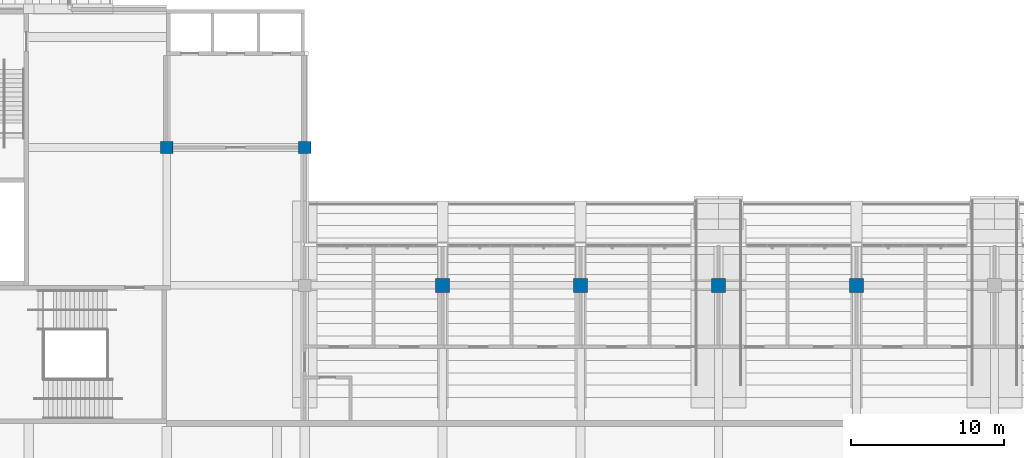
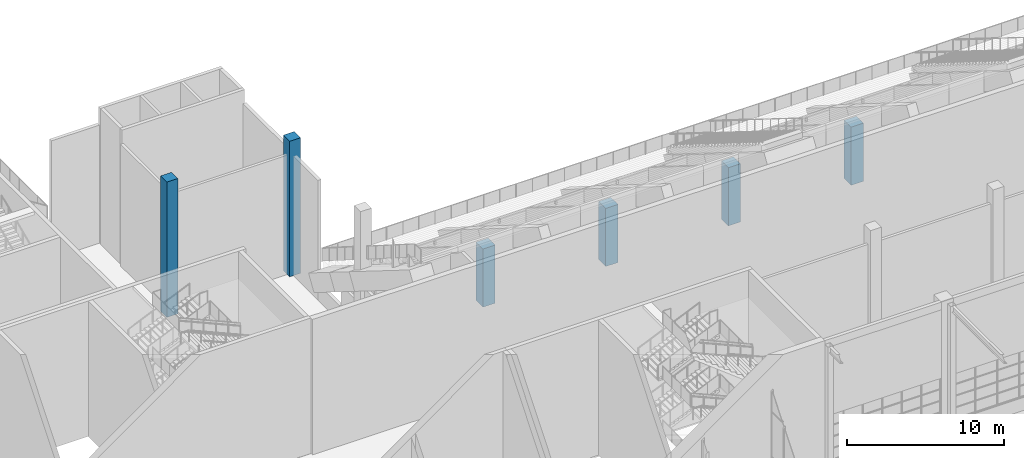
# One storey, part 4 of 182: 6 columns.
"""IFC4 building model written with IfcOpenShell, lengths in metres."""

from ifc_helpers import new_model, si_unit, direction, frame, origin, origin_2d, place, context, subcontext, project, spatial, rectangle, extrude, material, material_profile, profile_set, type_object, element, save


model = new_model("IFC4")

# Units and contexts
model_context = context("Model", 3, precision=1e-05, world=origin(), true_north=direction((0.0, 1.0)))
body_context = subcontext(model_context, "Body", "Model", "MODEL_VIEW")
ifc_project = project(units=[si_unit("LENGTHUNIT", "METRE"), si_unit("AREAUNIT", "SQUARE_METRE"), si_unit("VOLUMEUNIT", "CUBIC_METRE"), si_unit("PLANEANGLEUNIT", "RADIAN"), si_unit("MASSUNIT", "GRAM", prefix="KILO")], contexts=[model_context])

# Site, building, storey
site_placement = place(None, origin())
site = spatial("IfcSite", under=ifc_project, at=site_placement, CompositionType="ELEMENT")
building_placement = place(site_placement, origin())
building = spatial("IfcBuilding", under=site, at=building_placement, Name="Silverbay Arena", CompositionType="ELEMENT")
storey_placement = place(building_placement, frame((0.0, 0.0, 11.5)))
storey = spatial("IfcBuildingStorey", under=building, at=storey_placement, Name="L02", CompositionType="ELEMENT", Elevation=11.5)

# Columns
ifc_material_1 = material(Name="Concrete Grade C45", Category="concrete")
ifc_material_profile_1 = material_profile(ifc_material_1, rectangle(XDim=0.800048828125, YDim=0.800048828125, at=origin_2d()), Name="RC 800x800")
ifc_profile_set_1 = profile_set([ifc_material_profile_1], Name="Concrete Grade C45")
column_type_1 = type_object("IfcColumnType", Name="RC column 800x800", PredefinedType="COLUMN", material=ifc_profile_set_1)
for number, where, z_axis, x_axis, name in (
    (1, (90.0, 54.0, 0.0), (0.0, 0.0, 1.0), (1.0, 0.0, 0.0), "Column 11/G L02"),
    (2, (99.0, 54.0, 0.0), (0.0, 0.0, 1.0), (1.0, 0.0, 0.0), "Column 12/G L02"),
):
    element("IfcColumn", number, at=place(storey_placement, frame(where, z_axis=z_axis, x_axis=x_axis)), inside=storey, type_object=column_type_1, Name=name, PredefinedType="COLUMN", context=body_context, shape_type="SweptSolid", body=[
        extrude(rectangle(XDim=0.800048828125, YDim=0.800048828125, at=origin_2d()), origin(), (0.0, 0.0, 1.0), 10.5),
    ])
ifc_material_2 = material(Name="Concrete Grade C45", Category="concrete")
ifc_material_profile_2 = material_profile(ifc_material_2, rectangle(XDim=0.89990234375, YDim=0.89990234375, at=origin_2d()), Name="RC 900x900")
ifc_profile_set_2 = profile_set([ifc_material_profile_2], Name="Concrete Grade C45")
column_type_2 = type_object("IfcColumnType", Name="RC column 900x900", PredefinedType="COLUMN", material=ifc_profile_set_2)
for number, where, z_axis, x_axis, name in (
    (3, (108.0, 45.0, 0.0), (0.0, 0.0, 1.0), (1.0, 0.0, 0.0), "Column 13/F L02"),
    (4, (117.0, 45.0, 0.0), (0.0, 0.0, 1.0), (1.0, 0.0, 0.0), "Column 14/F L02"),
    (5, (126.0, 45.0, 0.0), (0.0, 0.0, 1.0), (1.0, 0.0, 0.0), "Column 15/F L02"),
    (6, (135.0, 45.0, 0.0), (0.0, 0.0, 1.0), (1.0, 0.0, 0.0), "Column 16/F L02"),
):
    element("IfcColumn", number, at=place(storey_placement, frame(where, z_axis=z_axis, x_axis=x_axis)), inside=storey, type_object=column_type_2, Name=name, PredefinedType="COLUMN", context=body_context, shape_type="SweptSolid", body=[
        extrude(rectangle(XDim=0.89990234375, YDim=0.89990234375, at=origin_2d()), origin(), (0.0, 0.0, 1.0), 4.505615234375),
    ])

save(model, "model.ifc")
